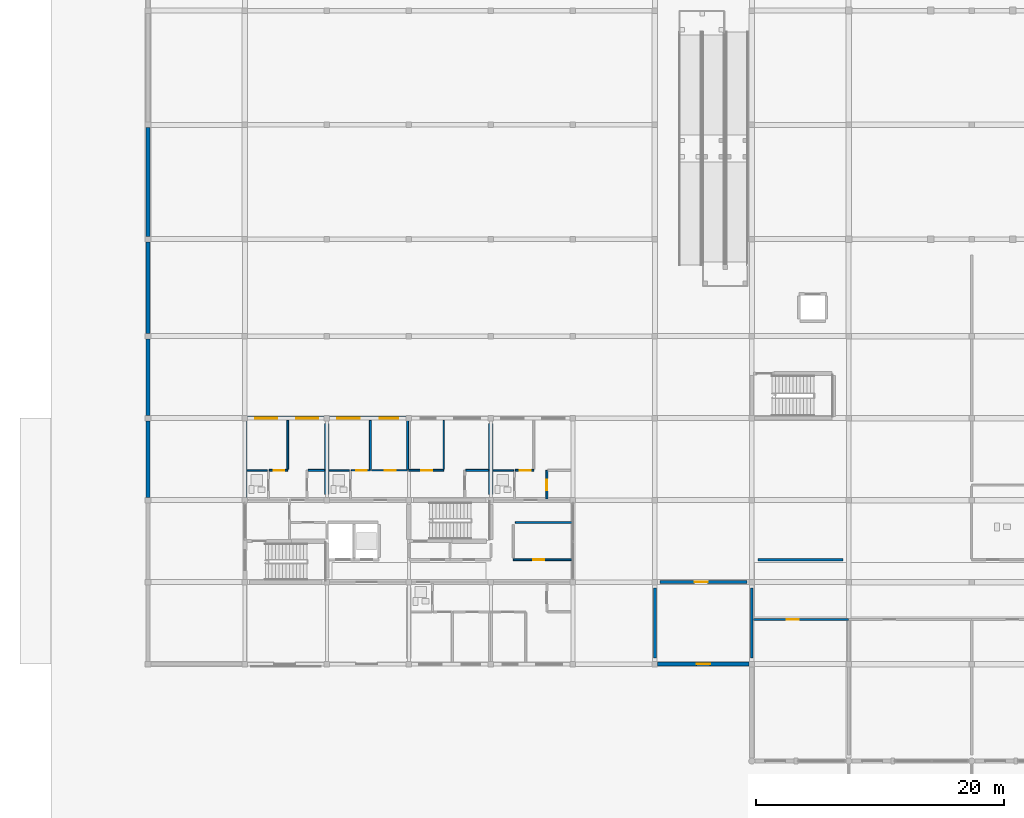
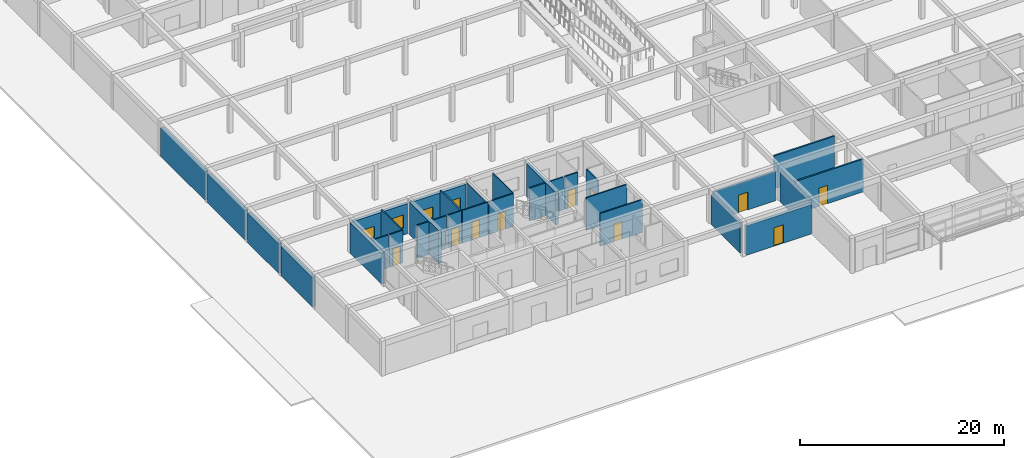
# One storey, part 50 of 75: 32 walls, 10 doors, 4 windows, 14 openings.
"""IFC4 building model written with IfcOpenShell, lengths in metres."""

from ifc_helpers import new_model, si_unit, direction, frame, frame_2d, origin, place, context, subcontext, project, spatial, rectangle, extrude, material, layer, layer_set, type_object, element, fill, save


model = new_model("IFC4")

# Units and contexts
model_context = context("Model", 3, precision=1e-05, world=origin(), true_north=direction((0.0, 1.0)))
body_context = subcontext(model_context, "Body", "Model", "MODEL_VIEW")
ifc_project = project(units=[si_unit("LENGTHUNIT", "METRE"), si_unit("AREAUNIT", "SQUARE_METRE"), si_unit("VOLUMEUNIT", "CUBIC_METRE"), si_unit("PLANEANGLEUNIT", "RADIAN"), si_unit("MASSUNIT", "GRAM", prefix="KILO")], contexts=[model_context])

# Site, building, storey
site_placement = place(None, origin())
site = spatial("IfcSite", under=ifc_project, at=site_placement, CompositionType="ELEMENT")
building_placement = place(site_placement, origin())
building = spatial("IfcBuilding", under=site, at=building_placement, Name="Kernevlak Ridge Housing Community", CompositionType="ELEMENT")
storey_placement = place(building_placement, origin())
storey = spatial("IfcBuildingStorey", under=building, at=storey_placement, Name="L00", CompositionType="ELEMENT", Elevation=0.0)

# Wall, openings, windows
ifc_material_1 = material(Name="Concrete block masonry M10", Category="masonry")
ifc_layer_1 = layer(ifc_material_1, 0.340087890625, Name="Concrete block masonry M10")
ifc_layer_set_1 = layer_set([ifc_layer_1], Name="Concrete block masonry M10")
wall_type_1 = type_object("IfcWallType", Name="EW-04", PredefinedType="STANDARD", material=ifc_layer_set_1)
wall_1_placement = place(storey_placement, frame((15.824951171875, 35.39990234375, 0.0), z_axis=(0.0, 0.0, 1.0), x_axis=(1.0, 0.0, 0.0)))
wall_1 = element("IfcWall", 1, at=wall_1_placement, inside=storey, type_object=wall_type_1, Name="Exterior wall EW-04 L00 719", PredefinedType="STANDARD", context=body_context, shape_type="SweptSolid", body=[
    extrude(rectangle(XDim=6.150146484375, YDim=0.340087890625, at=frame_2d((3.0751953125, 0.0))), origin(), (0.0, 0.0, 1.0), 3.60009765625),
])
opening_1_placement = place(wall_1_placement, frame((0.60009765625, 0.0, 0.85009765625)))
opening_1 = element("IfcOpeningElement", 2, at=opening_1_placement, cuts=wall_1, Name="Opening WT-03", PredefinedType="OPENING", context=body_context, shape_type="SweptSolid", body=[
    extrude(rectangle(XDim=1.800048828125, YDim=1.35009765625, at=frame_2d((0.89990234375, 0.675048828125))), frame((0.0, 0.179931640625, 0.0), z_axis=(0.0, -1.0, 0.0), x_axis=(1.0, 0.0, 0.0)), (0.0, 0.0, 1.0), 0.360107421875),
])
opening_2_placement = place(wall_1_placement, frame((3.89990234375, 0.0, 0.85009765625)))
opening_2 = element("IfcOpeningElement", 3, at=opening_2_placement, cuts=wall_1, Name="Opening WT-04", PredefinedType="OPENING", context=body_context, shape_type="SweptSolid", body=[
    extrude(rectangle(XDim=1.800048828125, YDim=1.550048828125, at=frame_2d((0.89990234375, 0.77490234375))), frame((0.0, 0.179931640625, 0.0), z_axis=(0.0, -1.0, 0.0), x_axis=(1.0, 0.0, 0.0)), (0.0, 0.0, 1.0), 0.360107421875),
])
ifc_material_2 = material(Name="Aluminium EN AW-6060 anodised and laminated glass", Category="aluminium")
window_type_1 = type_object("IfcWindowType", Name="WT-03", PartitioningType="SINGLE_PANEL", PredefinedType="WINDOW", material=ifc_material_2)
window_1_placement = place(opening_1_placement, origin())
window_1 = element("IfcWindow", 4, at=window_1_placement, inside=storey, type_object=window_type_1, Name="Window WT-03 L00 582", OverallHeight=1.35009765625, OverallWidth=1.800048828125, PartitioningType="SINGLE_PANEL", PredefinedType="WINDOW", context=body_context, shape_type="SweptSolid", body=[
    extrude(rectangle(XDim=1.800048828125, YDim=1.35009765625, at=frame_2d((0.89990234375, 0.675048828125))), frame((0.0, 0.030029296875, 0.0), z_axis=(0.0, -1.0, 0.0), x_axis=(1.0, 0.0, 0.0)), (0.0, 0.0, 1.0), 0.06005859375),
])
fill(opening_1, window_1)
window_type_2 = type_object("IfcWindowType", Name="WT-04", PartitioningType="SINGLE_PANEL", PredefinedType="WINDOW", material=ifc_material_2)
window_2_placement = place(opening_2_placement, origin())
window_2 = element("IfcWindow", 5, at=window_2_placement, inside=storey, type_object=window_type_2, Name="Window WT-04 L00 583", OverallHeight=1.550048828125, OverallWidth=1.800048828125, PartitioningType="SINGLE_PANEL", PredefinedType="WINDOW", context=body_context, shape_type="SweptSolid", body=[
    extrude(rectangle(XDim=1.800048828125, YDim=1.550048828125, at=frame_2d((0.89990234375, 0.77490234375))), frame((0.0, 0.030029296875, 0.0), z_axis=(0.0, -1.0, 0.0), x_axis=(1.0, 0.0, 0.0)), (0.0, 0.0, 1.0), 0.06005859375),
])
fill(opening_2, window_2)

wall_2_placement = place(storey_placement, frame((22.425048828125, 35.39990234375, 0.0), z_axis=(0.0, 0.0, 1.0), x_axis=(1.0, 0.0, 0.0)))
wall_2 = element("IfcWall", 6, at=wall_2_placement, inside=storey, type_object=wall_type_1, Name="Exterior wall EW-04 L00 720", PredefinedType="STANDARD", context=body_context, shape_type="SweptSolid", body=[
    extrude(rectangle(XDim=6.14990234375, YDim=0.340087890625, at=frame_2d((3.074951171875, 0.0))), origin(), (0.0, 0.0, 1.0), 3.60009765625),
])
opening_3_placement = place(wall_2_placement, frame((0.625, 0.0, 0.85009765625)))
opening_3 = element("IfcOpeningElement", 7, at=opening_3_placement, cuts=wall_2, Name="Opening WT-03", PredefinedType="OPENING", context=body_context, shape_type="SweptSolid", body=[
    extrude(rectangle(XDim=1.800048828125, YDim=1.35009765625, at=frame_2d((0.89990234375, 0.675048828125))), frame((0.0, 0.179931640625, 0.0), z_axis=(0.0, -1.0, 0.0), x_axis=(1.0, 0.0, 0.0)), (0.0, 0.0, 1.0), 0.360107421875),
])
opening_4_placement = place(wall_2_placement, frame((4.02490234375, 0.0, 0.85009765625)))
opening_4 = element("IfcOpeningElement", 8, at=opening_4_placement, cuts=wall_2, Name="Opening WT-02", PredefinedType="OPENING", context=body_context, shape_type="SweptSolid", body=[
    extrude(rectangle(XDim=1.5, YDim=1.35009765625, at=frame_2d((0.75, 0.675048828125))), frame((0.0, 0.179931640625, 0.0), z_axis=(0.0, -1.0, 0.0), x_axis=(1.0, 0.0, 0.0)), (0.0, 0.0, 1.0), 0.360107421875),
])
window_type_3 = type_object("IfcWindowType", Name="WT-02", PartitioningType="SINGLE_PANEL", PredefinedType="WINDOW", material=ifc_material_2)
window_3_placement = place(opening_4_placement, origin())
window_3 = element("IfcWindow", 9, at=window_3_placement, inside=storey, type_object=window_type_3, Name="Window WT-02 L00 585", OverallHeight=1.35009765625, OverallWidth=1.5, PartitioningType="SINGLE_PANEL", PredefinedType="WINDOW", context=body_context, shape_type="SweptSolid", body=[
    extrude(rectangle(XDim=1.5, YDim=1.35009765625, at=frame_2d((0.75, 0.675048828125))), frame((0.0, 0.030029296875, 0.0), z_axis=(0.0, -1.0, 0.0), x_axis=(1.0, 0.0, 0.0)), (0.0, 0.0, 1.0), 0.06005859375),
])
fill(opening_4, window_3)
window_4_placement = place(opening_3_placement, origin())
window_4 = element("IfcWindow", 10, at=window_4_placement, inside=storey, type_object=window_type_1, Name="Window WT-03 L00 584", OverallHeight=1.35009765625, OverallWidth=1.800048828125, PartitioningType="SINGLE_PANEL", PredefinedType="WINDOW", context=body_context, shape_type="SweptSolid", body=[
    extrude(rectangle(XDim=1.800048828125, YDim=1.35009765625, at=frame_2d((0.89990234375, 0.675048828125))), frame((0.0, 0.030029296875, 0.0), z_axis=(0.0, -1.0, 0.0), x_axis=(1.0, 0.0, 0.0)), (0.0, 0.0, 1.0), 0.06005859375),
])
fill(opening_3, window_4)

# Wall
wall_3_placement = place(storey_placement, frame((15.60009765625, 29.02490234375, 0.0), z_axis=(0.0, 0.0, 1.0), x_axis=(0.0, 1.0, 0.0)))
element("IfcWall", 11, at=wall_3_placement, inside=storey, type_object=wall_type_1, Name="Exterior wall EW-04 L00 724", PredefinedType="STANDARD", context=body_context, shape_type="SweptSolid", body=[
    extrude(rectangle(XDim=6.150146484375, YDim=0.340087890625, at=frame_2d((3.0751953125, 0.0))), origin(), (0.0, 0.0, 1.0), 3.64990234375),
])

# Wall, opening, door
wall_4_placement = place(storey_placement, frame((48.824951171875, 15.60009765625, 0.0), z_axis=(0.0, 0.0, 1.0), x_axis=(1.0, 0.0, 0.0)))
wall_4 = element("IfcWall", 12, at=wall_4_placement, inside=storey, type_object=wall_type_1, Name="Exterior wall EW-04 L00 854", PredefinedType="STANDARD", context=body_context, shape_type="SweptSolid", body=[
    extrude(rectangle(XDim=7.35009765625, YDim=0.340087890625, at=frame_2d((3.675048828125, 0.0))), origin(), (0.0, 0.0, 1.0), 3.5),
])
opening_5_placement = place(wall_4_placement, frame((3.125, 0.0, 0.0)))
opening_5 = element("IfcOpeningElement", 13, at=opening_5_placement, cuts=wall_4, Name="Opening E794", PredefinedType="OPENING", context=body_context, shape_type="SweptSolid", body=[
    extrude(rectangle(XDim=1.10009765625, YDim=2.199951171875, at=frame_2d((0.550048828125, 1.10009765625))), frame((0.0, 0.179931640625, 0.0), z_axis=(0.0, -1.0, 0.0), x_axis=(1.0, 0.0, 0.0)), (0.0, 0.0, 1.0), 0.360107421875),
])
ifc_material_3 = material(Name="Aluminium EN AW-6060 and laminated safety glass", Category="aluminium")
door_type_1 = type_object("IfcDoorType", Name="DT-11", OperationType="NOTDEFINED", PredefinedType="DOOR", material=ifc_material_3)
door_1_placement = place(opening_5_placement, origin())
door_1 = element("IfcDoor", 14, at=door_1_placement, inside=storey, type_object=door_type_1, Name="Fire Command Room pedestrian street exit E794", OperationType="SINGLE_SWING_LEFT", OverallHeight=2.199951171875, OverallWidth=1.10009765625, PredefinedType="DOOR", context=body_context, shape_type="SweptSolid", body=[
    extrude(rectangle(XDim=1.10009765625, YDim=2.199951171875, at=frame_2d((0.550048828125, 1.10009765625))), frame((0.0, 0.02490234375, 0.0), z_axis=(0.0, -1.0, 0.0), x_axis=(1.0, 0.0, 0.0)), (0.0, 0.0, 1.0), 0.050048828125),
])
fill(opening_5, door_1)

# Walls
wall_5_placement = place(storey_placement, frame((7.800048828125, 29.02490234375, 0.0), z_axis=(0.0, 0.0, 1.0), x_axis=(0.0, 1.0, 0.0)))
element("IfcWall", 15, at=wall_5_placement, inside=storey, type_object=wall_type_1, Name="Exterior wall EW-04 L00 857", PredefinedType="STANDARD", context=body_context, shape_type="SweptSolid", body=[
    extrude(rectangle(XDim=6.150146484375, YDim=0.340087890625, at=frame_2d((3.0751953125, 0.0))), origin(), (0.0, 0.0, 1.0), 3.550048828125),
])
wall_6_placement = place(storey_placement, frame((7.800048828125, 35.625, 0.0), z_axis=(0.0, 0.0, 1.0), x_axis=(0.0, 1.0, 0.0)))
element("IfcWall", 16, at=wall_6_placement, inside=storey, type_object=wall_type_1, Name="Exterior wall EW-04 L00 858", PredefinedType="STANDARD", context=body_context, shape_type="SweptSolid", body=[
    extrude(rectangle(XDim=6.14990234375, YDim=0.340087890625, at=frame_2d((3.074951171875, 0.0))), origin(), (0.0, 0.0, 1.0), 3.550048828125),
])
wall_7_placement = place(storey_placement, frame((7.800048828125, 42.22509765625, 0.0), z_axis=(0.0, 0.0, 1.0), x_axis=(0.0, 1.0, 0.0)))
element("IfcWall", 17, at=wall_7_placement, inside=storey, type_object=wall_type_1, Name="Exterior wall EW-04 L00 859", PredefinedType="STANDARD", context=body_context, shape_type="SweptSolid", body=[
    extrude(rectangle(XDim=7.349853515625, YDim=0.340087890625, at=frame_2d((3.6748046875, 0.0))), origin(), (0.0, 0.0, 1.0), 3.5),
])
wall_8_placement = place(storey_placement, frame((7.800048828125, 50.02490234375, 0.0), z_axis=(0.0, 0.0, 1.0), x_axis=(0.0, 1.0, 0.0)))
element("IfcWall", 18, at=wall_8_placement, inside=storey, type_object=wall_type_1, Name="Exterior wall EW-04 L00 860", PredefinedType="STANDARD", context=body_context, shape_type="SweptSolid", body=[
    extrude(rectangle(XDim=8.75, YDim=0.340087890625, at=frame_2d((4.375, 0.0))), origin(), (0.0, 0.0, 1.0), 3.449951171875),
])

# Wall, opening, door
ifc_material_4 = material(Name="Concrete C35/45", Category="concrete")
ifc_layer_2 = layer(ifc_material_4, 0.22509765625, Name="Concrete C35/45")
ifc_layer_set_2 = layer_set([ifc_layer_2], Name="Concrete C35/45")
wall_type_2 = type_object("IfcWallType", Name="PW-01", PredefinedType="STANDARD", material=ifc_layer_set_2)
wall_9_placement = place(storey_placement, frame((49.0, 22.199951171875, 0.0), z_axis=(0.0, 0.0, 1.0), x_axis=(1.0, 0.0, 0.0)))
wall_9 = element("IfcWall", 19, at=wall_9_placement, inside=storey, type_object=wall_type_2, Name="Interior wall PW-01 WAL-INT-L00-3543", PredefinedType="STANDARD", context=body_context, shape_type="SweptSolid", body=[
    extrude(rectangle(XDim=7.0, YDim=0.22509765625, at=frame_2d((3.5, 0.0))), origin(), (0.0, 0.0, 1.0), 3.5),
])
opening_6_placement = place(wall_9_placement, frame((2.800048828125, 0.0, 0.0)))
opening_6 = element("IfcOpeningElement", 20, at=opening_6_placement, cuts=wall_9, Name="Opening E793", PredefinedType="OPENING", context=body_context, shape_type="SweptSolid", body=[
    extrude(rectangle(XDim=1.0400390625, YDim=2.1201171875, at=frame_2d((0.52001953125, 1.06005859375))), frame((0.0, 0.12255859375, 0.0), z_axis=(0.0, -1.0, 0.0), x_axis=(1.0, 0.0, 0.0)), (0.0, 0.0, 1.0), 0.2451171875),
])
ifc_material_5 = material(Name="Fire-rated sheet steel leaf", Category="steel")
door_type_2 = type_object("IfcDoorType", Name="DT-16", OperationType="NOTDEFINED", PredefinedType="DOOR", material=ifc_material_5)
door_2_placement = place(opening_6_placement, origin())
door_2 = element("IfcDoor", 21, at=door_2_placement, inside=storey, type_object=door_type_2, Name="Fire Command Room inner fire door E793", OperationType="SINGLE_SWING_RIGHT", OverallHeight=2.1201171875, OverallWidth=1.0400390625, PredefinedType="DOOR", context=body_context, shape_type="SweptSolid", body=[
    extrude(rectangle(XDim=1.0400390625, YDim=2.1201171875, at=frame_2d((0.52001953125, 1.06005859375))), frame((0.0, 0.02490234375, 0.0), z_axis=(0.0, -1.0, 0.0), x_axis=(1.0, 0.0, 0.0)), (0.0, 0.0, 1.0), 0.050048828125),
])
fill(opening_6, door_2)

# Walls
for number, where, z_axis, x_axis, name in (
    (22, (48.60009765625, 16.080078125, 0.0), (0.0, 0.0, 1.0), (0.0, 1.0, 0.0), "Interior wall PW-01 WAL-INT-L00-3544"),
    (23, (56.39990234375, 16.080078125, 0.0), (0.0, 0.0, 1.0), (0.0, 1.0, 0.0), "Interior wall PW-01 WAL-INT-L00-3545"),
):
    element("IfcWall", number, at=place(storey_placement, frame(where, z_axis=z_axis, x_axis=x_axis)), inside=storey, type_object=wall_type_2, Name=name, PredefinedType="STANDARD", context=body_context, shape_type="SweptSolid", body=[
        extrude(rectangle(XDim=5.639892578125, YDim=0.22509765625, at=frame_2d((2.81982421875, 0.0))), origin(), (0.0, 0.0, 1.0), 3.550048828125),
    ])

# Wall, opening, door
ifc_layer_3 = layer(ifc_material_1, 0.175048828125, Name="Concrete block masonry M10")
ifc_layer_set_3 = layer_set([ifc_layer_3], Name="Concrete block masonry M10")
wall_type_3 = type_object("IfcWallType", Name="PW-02", PredefinedType="PARTITIONING", material=ifc_layer_set_3)
wall_10_placement = place(storey_placement, frame((56.5224609375, 19.199951171875, 0.0), z_axis=(0.0, 0.0, 1.0), x_axis=(1.0, 0.0, 0.0)))
wall_10 = element("IfcWall", 24, at=wall_10_placement, inside=storey, type_object=wall_type_3, Name="Interior wall PW-02 WAL-INT-L00-3547", PredefinedType="PARTITIONING", context=body_context, shape_type="SweptSolid", body=[
    extrude(rectangle(XDim=7.677490234375, YDim=0.175048828125, at=frame_2d((3.8388671875, 0.0))), origin(), (0.0, 0.0, 1.0), 3.919921875),
])
opening_7_placement = place(wall_10_placement, frame((2.677490234375, 0.0, 0.0)))
opening_7 = element("IfcOpeningElement", 25, at=opening_7_placement, cuts=wall_10, Name="Opening E795", PredefinedType="OPENING", context=body_context, shape_type="SweptSolid", body=[
    extrude(rectangle(XDim=0.9599609375, YDim=2.179931640625, at=frame_2d((0.47998046875, 1.08984375))), frame((0.0, 0.097412109375, 0.0), z_axis=(0.0, -1.0, 0.0), x_axis=(1.0, 0.0, 0.0)), (0.0, 0.0, 1.0), 0.195068359375),
])
ifc_material_6 = material(Name="Hardwood timber solid-core fire leaf", Category="wood")
door_type_3 = type_object("IfcDoorType", Name="DT-29", OperationType="NOTDEFINED", PredefinedType="DOOR", material=ifc_material_6)
door_3_placement = place(opening_7_placement, origin())
door_3 = element("IfcDoor", 26, at=door_3_placement, inside=storey, type_object=door_type_3, Name="Retail Shop 1 arcade fire door E795", OperationType="SINGLE_SWING_RIGHT", OverallHeight=2.179931640625, OverallWidth=0.9599609375, PredefinedType="DOOR", context=body_context, shape_type="SweptSolid", body=[
    extrude(rectangle(XDim=0.9599609375, YDim=2.179931640625, at=frame_2d((0.47998046875, 1.08984375))), frame((0.0, 0.02490234375, 0.0), z_axis=(0.0, -1.0, 0.0), x_axis=(1.0, 0.0, 0.0)), (0.0, 0.0, 1.0), 0.050048828125),
])
fill(opening_7, door_3)

# Wall
wall_11_placement = place(storey_placement, frame((56.8798828125, 24.0, 0.0), z_axis=(0.0, 0.0, 1.0), x_axis=(1.0, 0.0, 0.0)))
element("IfcWall", 27, at=wall_11_placement, inside=storey, type_object=wall_type_3, Name="Interior wall PW-02 WAL-INT-L00-3558", PredefinedType="PARTITIONING", context=body_context, shape_type="SweptSolid", body=[
    extrude(rectangle(XDim=6.840087890625, YDim=0.175048828125, at=frame_2d((3.419921875, 0.0))), origin(), (0.0, 0.0, 1.0), 3.919921875),
])

# Wall, opening, door
ifc_layer_4 = layer(ifc_material_1, 0.14501953125, Name="Concrete block masonry M10")
ifc_layer_set_4 = layer_set([ifc_layer_4], Name="Concrete block masonry M10")
wall_type_4 = type_object("IfcWallType", Name="PW-03", PredefinedType="PARTITIONING", material=ifc_layer_set_4)
wall_12_placement = place(storey_placement, frame((37.199951171875, 24.0, 0.0), z_axis=(0.0, 0.0, 1.0), x_axis=(1.0, 0.0, 0.0)))
wall_12 = element("IfcWall", 28, at=wall_12_placement, inside=storey, type_object=wall_type_4, Name="Interior wall PW-03 WAL-INT-L00-2933", PredefinedType="PARTITIONING", context=body_context, shape_type="SweptSolid", body=[
    extrude(rectangle(XDim=4.800048828125, YDim=0.14501953125, at=frame_2d((2.39990234375, 0.0))), origin(), (0.0, 0.0, 1.0), 3.919921875),
])
opening_8_placement = place(wall_12_placement, frame((1.60009765625, 0.0, 0.0)))
opening_8 = element("IfcOpeningElement", 29, at=opening_8_placement, cuts=wall_12, Name="Opening E485", PredefinedType="OPENING", context=body_context, shape_type="SweptSolid", body=[
    extrude(rectangle(XDim=0.909912109375, YDim=2.139892578125, at=frame_2d((0.455078125, 1.06982421875))), frame((0.0, 0.08251953125, 0.0), z_axis=(0.0, -1.0, 0.0), x_axis=(1.0, 0.0, 0.0)), (0.0, 0.0, 1.0), 0.1650390625),
])
ifc_material_7 = material(Name="Hardwood timber leaf", Category="wood")
door_type_4 = type_object("IfcDoorType", Name="DT-31", OperationType="NOTDEFINED", PredefinedType="DOOR", material=ifc_material_7)
door_4_placement = place(opening_8_placement, origin())
door_4 = element("IfcDoor", 30, at=door_4_placement, inside=storey, type_object=door_type_4, Name="Block D Laundry room door E485", OperationType="SINGLE_SWING_RIGHT", OverallHeight=2.139892578125, OverallWidth=0.909912109375, PredefinedType="DOOR", context=body_context, shape_type="SweptSolid", body=[
    extrude(rectangle(XDim=0.909912109375, YDim=2.139892578125, at=frame_2d((0.455078125, 1.06982421875))), frame((0.0, 0.02490234375, 0.0), z_axis=(0.0, -1.0, 0.0), x_axis=(1.0, 0.0, 0.0)), (0.0, 0.0, 1.0), 0.050048828125),
])
fill(opening_8, door_4)

# Wall
wall_13_placement = place(storey_placement, frame((37.3798828125, 27.0, 0.0), z_axis=(0.0, 0.0, 1.0), x_axis=(1.0, 0.0, 0.0)))
element("IfcWall", 31, at=wall_13_placement, inside=storey, type_object=wall_type_4, Name="Interior wall PW-03 WAL-INT-L00-2934", PredefinedType="PARTITIONING", context=body_context, shape_type="SweptSolid", body=[
    extrude(rectangle(XDim=4.60009765625, YDim=0.14501953125, at=frame_2d((2.300048828125, 0.0))), origin(), (0.0, 0.0, 1.0), 3.919921875),
])

# Wall, opening, door
wall_14_placement = place(storey_placement, frame((17.572509765625, 31.199951171875, 0.0), z_axis=(0.0, 0.0, 1.0), x_axis=(1.0, 0.0, 0.0)))
wall_14 = element("IfcWall", 32, at=wall_14_placement, inside=storey, type_object=wall_type_4, Name="Interior wall PW-03 WAL-INT-L00-2954", PredefinedType="PARTITIONING", context=body_context, shape_type="SweptSolid", body=[
    extrude(rectangle(XDim=1.4775390625, YDim=0.14501953125, at=frame_2d((0.73876953125, 0.0))), origin(), (0.0, 0.0, 1.0), 3.919921875),
])
opening_9_placement = place(wall_14_placement, frame((0.35009765625, 0.0, 0.0)))
opening_9 = element("IfcOpeningElement", 33, at=opening_9_placement, cuts=wall_14, Name="Opening E498", PredefinedType="OPENING", context=body_context, shape_type="SweptSolid", body=[
    extrude(rectangle(XDim=0.85009765625, YDim=2.10009765625, at=frame_2d((0.425048828125, 1.050048828125))), frame((0.0, 0.08251953125, 0.0), z_axis=(0.0, -1.0, 0.0), x_axis=(1.0, 0.0, 0.0)), (0.0, 0.0, 1.0), 0.1650390625),
])
door_type_5 = type_object("IfcDoorType", Name="DT-03", OperationType="NOTDEFINED", PredefinedType="DOOR", material=ifc_material_7)
door_5_placement = place(opening_9_placement, origin())
door_5 = element("IfcDoor", 34, at=door_5_placement, inside=storey, type_object=door_type_5, Name="Flat D0021 bedroom door E498", OperationType="SINGLE_SWING_LEFT", OverallHeight=2.10009765625, OverallWidth=0.85009765625, PredefinedType="DOOR", context=body_context, shape_type="SweptSolid", body=[
    extrude(rectangle(XDim=0.85009765625, YDim=2.10009765625, at=frame_2d((0.425048828125, 1.050048828125))), frame((0.0, 0.02490234375, 0.0), z_axis=(0.0, -1.0, 0.0), x_axis=(1.0, 0.0, 0.0)), (0.0, 0.0, 1.0), 0.050048828125),
])
fill(opening_9, door_5)

# Walls
wall_15_placement = place(storey_placement, frame((19.050048828125, 31.282470703125, 0.0), z_axis=(0.0, 0.0, 1.0), x_axis=(0.0, 1.0, 0.0)))
element("IfcWall", 35, at=wall_15_placement, inside=storey, type_object=wall_type_4, Name="Interior wall PW-03 WAL-INT-L00-2955", PredefinedType="PARTITIONING", context=body_context, shape_type="SweptSolid", body=[
    extrude(rectangle(XDim=3.9375, YDim=0.14501953125, at=frame_2d((1.96875, 0.0))), origin(), (0.0, 0.0, 1.0), 3.919921875),
])
wall_16_placement = place(storey_placement, frame((25.699951171875, 31.280029296875, 0.0), z_axis=(0.0, 0.0, 1.0), x_axis=(0.0, 1.0, 0.0)))
element("IfcWall", 36, at=wall_16_placement, inside=storey, type_object=wall_type_4, Name="Interior wall PW-03 WAL-INT-L00-2962", PredefinedType="PARTITIONING", context=body_context, shape_type="SweptSolid", body=[
    extrude(rectangle(XDim=3.93994140625, YDim=0.14501953125, at=frame_2d((1.969970703125, 0.0))), origin(), (0.0, 0.0, 1.0), 3.919921875),
])

# Wall, opening, door
wall_17_placement = place(storey_placement, frame((25.782470703125, 31.199951171875, 0.0), z_axis=(0.0, 0.0, 1.0), x_axis=(1.0, 0.0, 0.0)))
wall_17 = element("IfcWall", 37, at=wall_17_placement, inside=storey, type_object=wall_type_4, Name="Interior wall PW-03 WAL-INT-L00-2963", PredefinedType="PARTITIONING", context=body_context, shape_type="SweptSolid", body=[
    extrude(rectangle(XDim=2.91748046875, YDim=0.14501953125, at=frame_2d((1.458740234375, 0.0))), origin(), (0.0, 0.0, 1.0), 3.919921875),
])
opening_10_placement = place(wall_17_placement, frame((1.074951171875, 0.0, 0.0)))
opening_10 = element("IfcOpeningElement", 38, at=opening_10_placement, cuts=wall_17, Name="Opening E503", PredefinedType="OPENING", context=body_context, shape_type="SweptSolid", body=[
    extrude(rectangle(XDim=0.8798828125, YDim=2.159912109375, at=frame_2d((0.43994140625, 1.080078125))), frame((0.0, 0.08251953125, 0.0), z_axis=(0.0, -1.0, 0.0), x_axis=(1.0, 0.0, 0.0)), (0.0, 0.0, 1.0), 0.1650390625),
])
door_type_6 = type_object("IfcDoorType", Name="DT-26", OperationType="NOTDEFINED", PredefinedType="DOOR", material=ifc_material_7)
door_6_placement = place(opening_10_placement, origin())
door_6 = element("IfcDoor", 39, at=door_6_placement, inside=storey, type_object=door_type_6, Name="Flat D0022 bedroom door E503", OperationType="SINGLE_SWING_RIGHT", OverallHeight=2.159912109375, OverallWidth=0.8798828125, PredefinedType="DOOR", context=body_context, shape_type="SweptSolid", body=[
    extrude(rectangle(XDim=0.8798828125, YDim=2.159912109375, at=frame_2d((0.43994140625, 1.080078125))), frame((0.0, 0.02490234375, 0.0), z_axis=(0.0, -1.0, 0.0), x_axis=(1.0, 0.0, 0.0)), (0.0, 0.0, 1.0), 0.050048828125),
])
fill(opening_10, door_6)

# Wall
wall_18_placement = place(storey_placement, frame((28.699951171875, 31.282470703125, 0.0), z_axis=(0.0, 0.0, 1.0), x_axis=(0.0, 1.0, 0.0)))
element("IfcWall", 40, at=wall_18_placement, inside=storey, type_object=wall_type_4, Name="Interior wall PW-03 WAL-INT-L00-2964", PredefinedType="PARTITIONING", context=body_context, shape_type="SweptSolid", body=[
    extrude(rectangle(XDim=4.03759765625, YDim=0.14501953125, at=frame_2d((2.018798828125, 0.0))), origin(), (0.0, 0.0, 1.0), 3.75),
])

# Wall, opening, door
wall_19_placement = place(storey_placement, frame((28.782470703125, 31.199951171875, 0.0), z_axis=(0.0, 0.0, 1.0), x_axis=(1.0, 0.0, 0.0)))
wall_19 = element("IfcWall", 41, at=wall_19_placement, inside=storey, type_object=wall_type_4, Name="Interior wall PW-03 WAL-INT-L00-2965", PredefinedType="PARTITIONING", context=body_context, shape_type="SweptSolid", body=[
    extrude(rectangle(XDim=2.817626953125, YDim=0.14501953125, at=frame_2d((1.40869140625, 0.0))), origin(), (0.0, 0.0, 1.0), 3.919921875),
])
opening_11_placement = place(wall_19_placement, frame((1.02490234375, 0.0, 0.0)))
opening_11 = element("IfcOpeningElement", 42, at=opening_11_placement, cuts=wall_19, Name="Opening E504", PredefinedType="OPENING", context=body_context, shape_type="SweptSolid", body=[
    extrude(rectangle(XDim=0.860107421875, YDim=2.1201171875, at=frame_2d((0.43017578125, 1.06005859375))), frame((0.0, 0.08251953125, 0.0), z_axis=(0.0, -1.0, 0.0), x_axis=(1.0, 0.0, 0.0)), (0.0, 0.0, 1.0), 0.1650390625),
])
door_type_7 = type_object("IfcDoorType", Name="DT-28", OperationType="NOTDEFINED", PredefinedType="DOOR", material=ifc_material_7)
door_7_placement = place(opening_11_placement, origin())
door_7 = element("IfcDoor", 43, at=door_7_placement, inside=storey, type_object=door_type_7, Name="Flat D0022 bedroom door E504", OperationType="SINGLE_SWING_LEFT", OverallHeight=2.1201171875, OverallWidth=0.860107421875, PredefinedType="DOOR", context=body_context, shape_type="SweptSolid", body=[
    extrude(rectangle(XDim=0.860107421875, YDim=2.1201171875, at=frame_2d((0.43017578125, 1.06005859375))), frame((0.0, 0.02490234375, 0.0), z_axis=(0.0, -1.0, 0.0), x_axis=(1.0, 0.0, 0.0)), (0.0, 0.0, 1.0), 0.050048828125),
])
fill(opening_11, door_7)

wall_20_placement = place(storey_placement, frame((37.37255859375, 31.199951171875, 0.0), z_axis=(0.0, 0.0, 1.0), x_axis=(1.0, 0.0, 0.0)))
wall_20 = element("IfcWall", 44, at=wall_20_placement, inside=storey, type_object=wall_type_4, Name="Interior wall PW-03 WAL-INT-L00-2972", PredefinedType="PARTITIONING", context=body_context, shape_type="SweptSolid", body=[
    extrude(rectangle(XDim=1.4775390625, YDim=0.14501953125, at=frame_2d((0.73876953125, 0.0))), origin(), (0.0, 0.0, 1.0), 3.919921875),
])
opening_12_placement = place(wall_20_placement, frame((0.35009765625, 0.0, 0.0)))
opening_12 = element("IfcOpeningElement", 45, at=opening_12_placement, cuts=wall_20, Name="Opening E508", PredefinedType="OPENING", context=body_context, shape_type="SweptSolid", body=[
    extrude(rectangle(XDim=0.89990234375, YDim=2.10009765625, at=frame_2d((0.449951171875, 1.050048828125))), frame((0.0, 0.08251953125, 0.0), z_axis=(0.0, -1.0, 0.0), x_axis=(1.0, 0.0, 0.0)), (0.0, 0.0, 1.0), 0.1650390625),
])
door_type_8 = type_object("IfcDoorType", Name="DT-21", OperationType="NOTDEFINED", PredefinedType="DOOR", material=ifc_material_7)
door_8_placement = place(opening_12_placement, origin())
door_8 = element("IfcDoor", 46, at=door_8_placement, inside=storey, type_object=door_type_8, Name="Flat D0023 bedroom door E508", OperationType="SINGLE_SWING_LEFT", OverallHeight=2.10009765625, OverallWidth=0.89990234375, PredefinedType="DOOR", context=body_context, shape_type="SweptSolid", body=[
    extrude(rectangle(XDim=0.89990234375, YDim=2.10009765625, at=frame_2d((0.449951171875, 1.050048828125))), frame((0.0, 0.02490234375, 0.0), z_axis=(0.0, -1.0, 0.0), x_axis=(1.0, 0.0, 0.0)), (0.0, 0.0, 1.0), 0.050048828125),
])
fill(opening_12, door_8)

# Walls
ifc_material_8 = material(Name="Gypsum plasterboard EN 520", Category="gypsum")
ifc_layer_5 = layer(ifc_material_8, 0.125, Name="Gypsum plasterboard EN 520")
ifc_layer_set_5 = layer_set([ifc_layer_5], Name="Gypsum plasterboard EN 520")
wall_type_5 = type_object("IfcWallType", Name="PW-04", PredefinedType="PARTITIONING", material=ifc_layer_set_5)
wall_21_placement = place(storey_placement, frame((15.780029296875, 31.199951171875, 0.0), z_axis=(0.0, 0.0, 1.0), x_axis=(1.0, 0.0, 0.0)))
element("IfcWall", 47, at=wall_21_placement, inside=storey, type_object=wall_type_5, Name="Interior wall PW-04 WAL-INT-L00-2951", PredefinedType="PARTITIONING", context=body_context, shape_type="SweptSolid", body=[
    extrude(rectangle(XDim=1.639892578125, YDim=0.125, at=frame_2d((0.81982421875, 0.0))), origin(), (0.0, 0.0, 1.0), 3.919921875),
])
for number, where, z_axis, x_axis, name in (
    (48, (22.385009765625, 31.199951171875, 0.0), (0.0, 0.0, 1.0), (1.0, 0.0, 0.0), "Interior wall PW-04 WAL-INT-L00-2958"),
    (49, (35.5849609375, 31.199951171875, 0.0), (0.0, 0.0, 1.0), (1.0, 0.0, 0.0), "Interior wall PW-04 WAL-INT-L00-2969"),
):
    element("IfcWall", number, at=place(storey_placement, frame(where, z_axis=z_axis, x_axis=x_axis)), inside=storey, type_object=wall_type_5, Name=name, PredefinedType="PARTITIONING", context=body_context, shape_type="SweptSolid", body=[
        extrude(rectangle(XDim=1.635009765625, YDim=0.125, at=frame_2d((0.8173828125, 0.0))), origin(), (0.0, 0.0, 1.0), 3.919921875),
    ])
ifc_layer_6 = layer(ifc_material_8, 0.155029296875, Name="Gypsum plasterboard EN 520")
ifc_layer_set_6 = layer_set([ifc_layer_6], Name="Gypsum plasterboard EN 520")
wall_type_6 = type_object("IfcWallType", Name="PW-05", PredefinedType="PARTITIONING", material=ifc_layer_set_6)
wall_22_placement = place(storey_placement, frame((20.6875, 31.199951171875, 0.0), z_axis=(0.0, 0.0, 1.0), x_axis=(1.0, 0.0, 0.0)))
element("IfcWall", 50, at=wall_22_placement, inside=storey, type_object=wall_type_6, Name="Interior wall PW-05 WAL-INT-L00-2953", PredefinedType="PARTITIONING", context=body_context, shape_type="SweptSolid", body=[
    extrude(rectangle(XDim=1.327392578125, YDim=0.155029296875, at=frame_2d((0.66357421875, 0.0))), origin(), (0.0, 0.0, 1.0), 3.919921875),
])
wall_23_placement = place(storey_placement, frame((33.387451171875, 31.199951171875, 0.0), z_axis=(0.0, 0.0, 1.0), x_axis=(1.0, 0.0, 0.0)))
element("IfcWall", 51, at=wall_23_placement, inside=storey, type_object=wall_type_6, Name="Interior wall PW-05 WAL-INT-L00-2960", PredefinedType="PARTITIONING", context=body_context, shape_type="SweptSolid", body=[
    extrude(rectangle(XDim=1.82763671875, YDim=0.155029296875, at=frame_2d((0.913818359375, 0.0))), origin(), (0.0, 0.0, 1.0), 3.919921875),
])

# Wall, opening, door
wall_24_placement = place(storey_placement, frame((39.89990234375, 28.8974609375, 0.0), z_axis=(0.0, 0.0, 1.0), x_axis=(0.0, 1.0, 0.0)))
wall_24 = element("IfcWall", 52, at=wall_24_placement, inside=storey, type_object=wall_type_6, Name="Interior wall PW-05 WAL-INT-L00-2970", PredefinedType="PARTITIONING", context=body_context, shape_type="SweptSolid", body=[
    extrude(rectangle(XDim=2.302490234375, YDim=0.155029296875, at=frame_2d((1.1513671875, 0.0))), origin(), (0.0, 0.0, 1.0), 3.919921875),
])
opening_13_placement = place(wall_24_placement, frame((0.699951171875, 0.0, 0.0)))
opening_13 = element("IfcOpeningElement", 53, at=opening_13_placement, cuts=wall_24, Name="Opening E507", PredefinedType="OPENING", context=body_context, shape_type="SweptSolid", body=[
    extrude(rectangle(XDim=0.85009765625, YDim=2.10009765625, at=frame_2d((0.425048828125, 1.050048828125))), frame((0.0, 0.08740234375, 0.0), z_axis=(0.0, -1.0, 0.0), x_axis=(1.0, 0.0, 0.0)), (0.0, 0.0, 1.0), 0.175048828125),
])
door_9_placement = place(opening_13_placement, origin())
door_9 = element("IfcDoor", 54, at=door_9_placement, inside=storey, type_object=door_type_5, Name="Flat D0023 kitchen door E507", OperationType="SINGLE_SWING_RIGHT", OverallHeight=2.10009765625, OverallWidth=0.85009765625, PredefinedType="DOOR", context=body_context, shape_type="SweptSolid", body=[
    extrude(rectangle(XDim=0.85009765625, YDim=2.10009765625, at=frame_2d((0.425048828125, 1.050048828125))), frame((0.0, 0.02490234375, 0.0), z_axis=(0.0, -1.0, 0.0), x_axis=(1.0, 0.0, 0.0)), (0.0, 0.0, 1.0), 0.050048828125),
])
fill(opening_13, door_9)

ifc_layer_7 = layer(ifc_material_8, 0.10498046875, Name="Gypsum plasterboard EN 520")
ifc_layer_set_7 = layer_set([ifc_layer_7], Name="Gypsum plasterboard EN 520")
wall_type_7 = type_object("IfcWallType", Name="PW-06", PredefinedType="PARTITIONING", material=ifc_layer_set_7)
wall_25_placement = place(storey_placement, frame((24.172607421875, 31.199951171875, 0.0), z_axis=(0.0, 0.0, 1.0), x_axis=(1.0, 0.0, 0.0)))
wall_25 = element("IfcWall", 55, at=wall_25_placement, inside=storey, type_object=wall_type_7, Name="Interior wall PW-06 WAL-INT-L00-2961", PredefinedType="PARTITIONING", context=body_context, shape_type="SweptSolid", body=[
    extrude(rectangle(XDim=1.52734375, YDim=0.10498046875, at=frame_2d((0.763671875, 0.0))), origin(), (0.0, 0.0, 1.0), 3.919921875),
])
opening_14_placement = place(wall_25_placement, frame((0.375, 0.0, 0.0)))
opening_14 = element("IfcOpeningElement", 56, at=opening_14_placement, cuts=wall_25, Name="Opening E502", PredefinedType="OPENING", context=body_context, shape_type="SweptSolid", body=[
    extrude(rectangle(XDim=0.8798828125, YDim=2.10009765625, at=frame_2d((0.43994140625, 1.050048828125))), frame((0.0, 0.0625, 0.0), z_axis=(0.0, -1.0, 0.0), x_axis=(1.0, 0.0, 0.0)), (0.0, 0.0, 1.0), 0.125),
])
door_type_9 = type_object("IfcDoorType", Name="DT-25", OperationType="NOTDEFINED", PredefinedType="DOOR", material=ifc_material_7)
door_10_placement = place(opening_14_placement, origin())
door_10 = element("IfcDoor", 57, at=door_10_placement, inside=storey, type_object=door_type_9, Name="Flat D0022 bedroom door E502", OperationType="SINGLE_SWING_LEFT", OverallHeight=2.10009765625, OverallWidth=0.8798828125, PredefinedType="DOOR", context=body_context, shape_type="SweptSolid", body=[
    extrude(rectangle(XDim=0.8798828125, YDim=2.10009765625, at=frame_2d((0.43994140625, 1.050048828125))), frame((0.0, 0.02490234375, 0.0), z_axis=(0.0, -1.0, 0.0), x_axis=(1.0, 0.0, 0.0)), (0.0, 0.0, 1.0), 0.050048828125),
])
fill(opening_14, door_10)

# Walls
wall_26_placement = place(storey_placement, frame((31.60009765625, 31.282470703125, 0.0), z_axis=(0.0, 0.0, 1.0), x_axis=(0.0, 1.0, 0.0)))
element("IfcWall", 58, at=wall_26_placement, inside=storey, type_object=wall_type_7, Name="Interior wall PW-06 WAL-INT-L00-2966", PredefinedType="PARTITIONING", context=body_context, shape_type="SweptSolid", body=[
    extrude(rectangle(XDim=3.9375, YDim=0.10498046875, at=frame_2d((1.96875, 0.0))), origin(), (0.0, 0.0, 1.0), 3.919921875),
])
ifc_material_9 = material(Name="Concrete C40/50", Category="concrete")
ifc_layer_8 = layer(ifc_material_9, 0.35009765625, Name="Concrete C40/50")
ifc_layer_set_8 = layer_set([ifc_layer_8], Name="Concrete C40/50")
wall_type_8 = type_object("IfcWallType", Name="SW-01", PredefinedType="SHEAR", material=ifc_layer_set_8)
for number, where, z_axis, x_axis, name in (
    (59, (22.199951171875, 29.25, 0.0), (0.0, 0.0, 1.0), (0.0, 1.0, 0.0), "Shear wall SW-01 Block D L00 515"),
    (60, (35.39990234375, 29.25, 0.0), (0.0, 0.0, 1.0), (0.0, 1.0, 0.0), "Shear wall SW-01 Block D L00 516"),
):
    element("IfcWall", number, at=place(storey_placement, frame(where, z_axis=z_axis, x_axis=x_axis)), inside=storey, type_object=wall_type_8, Name=name, PredefinedType="SHEAR", context=body_context, shape_type="SweptSolid", body=[
        extrude(rectangle(XDim=5.699951171875, YDim=0.35009765625, at=frame_2d((2.85009765625, 0.0))), origin(), (0.0, 0.0, 1.0), 3.919921875),
    ])

save(model, "model.ifc")
